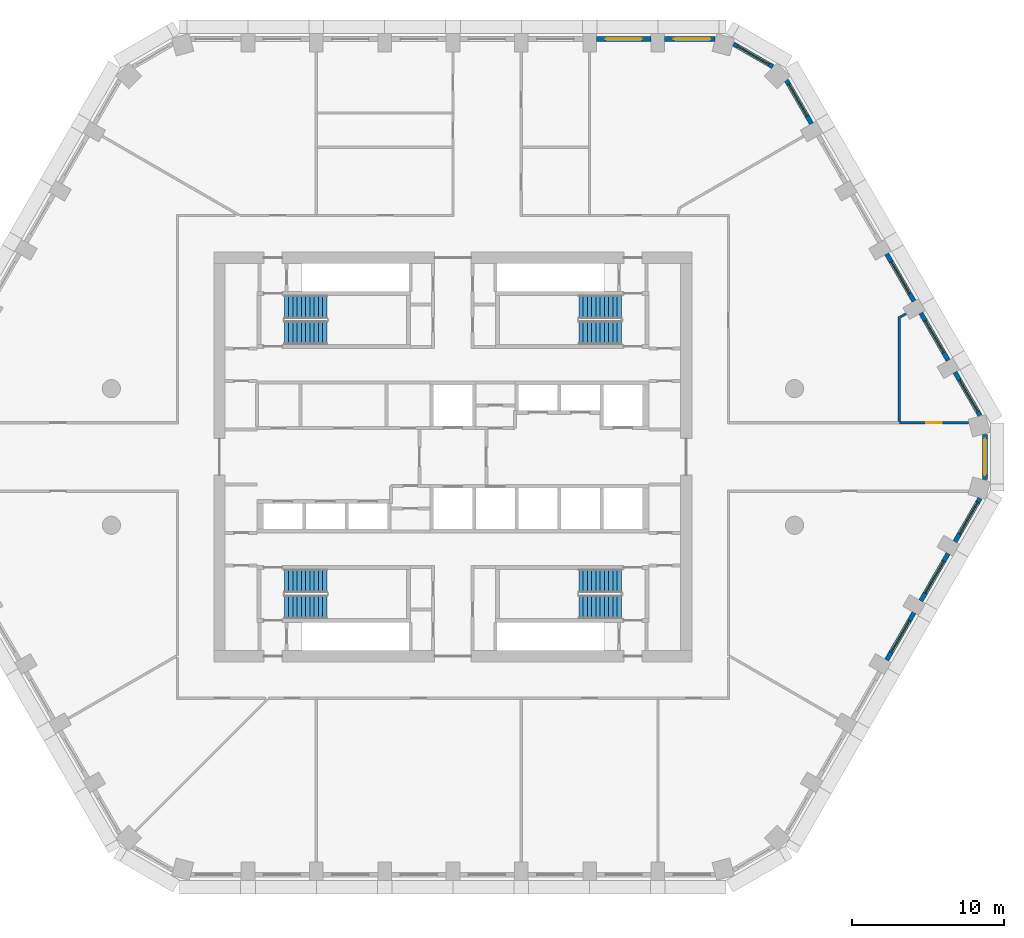
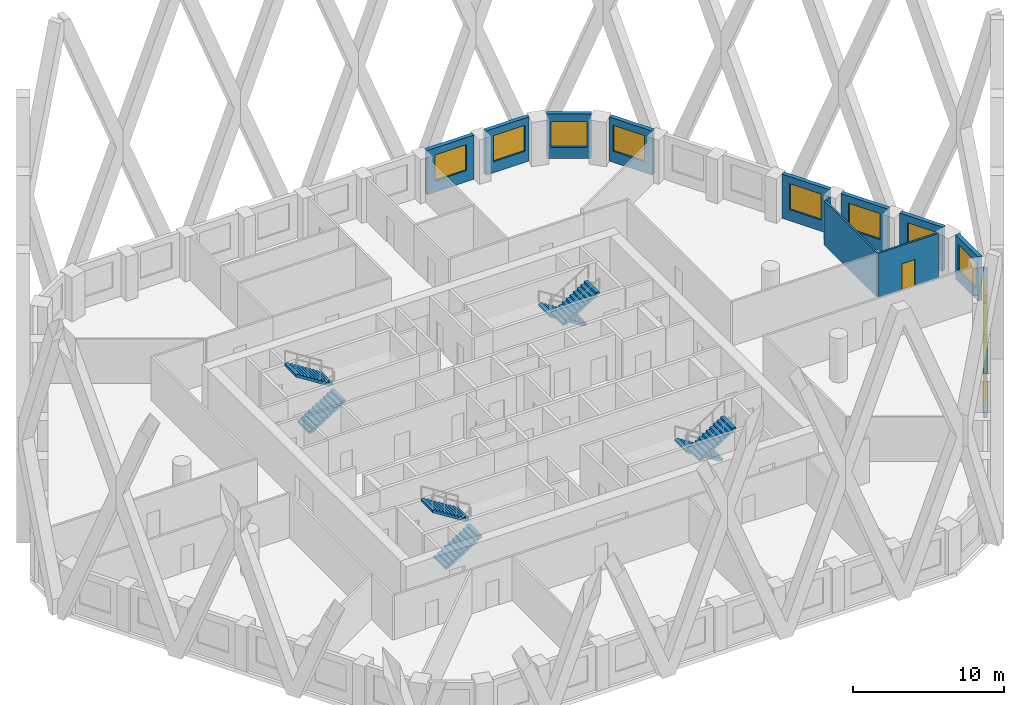
# One storey, part 8 of 17: 14 walls, 11 windows, 8 stair flights, 1 door, 12 openings, 4 elements without a shape of their own.
"""IFC4 building model written with IfcOpenShell, lengths in metres."""

import ifcopenshell
import ifcopenshell.guid

model = None  # the IFC model being written
_history = None  # IfcOwnerHistory: only IFC2X3 demands one
_inside = {}  # id of a spatial element -> (the spatial element, [elements in it])
_under = {}  # id of a project, library or spatial element -> (it, [spatial elements below it])
_declared = {}  # id of a project -> (the project, [libraries it declares])
_typed = {}  # id of a type object -> (the type object, [elements of that type])
_made_of = {}  # id of a material, layer set ... -> (it, [elements and type objects made of it])


def new_model(schema):
    """Start an empty IFC model of exactly this schema.

    Asked for "IFC4X3", IfcOpenShell would pick the latest addendum, in which some entities
    have other attributes; the version numbers below select the first issue.
    IFC2X3 requires an IfcOwnerHistory on every rooted entity: one is made here for all.
    """
    global model, _history
    if schema == "IFC4X3":
        model = ifcopenshell.file(schema_version=(4, 3, 0, 0))
    else:
        model = ifcopenshell.file(schema=schema)
    _inside.clear()
    _under.clear()
    _declared.clear()
    _typed.clear()
    _made_of.clear()
    _history = None
    if model.schema == "IFC2X3":
        org = make("IfcOrganization", Name="unknown")
        user = make(
            "IfcPersonAndOrganization",
            ThePerson=make("IfcPerson", FamilyName="unknown"),
            TheOrganization=org,
        )
        app = make(
            "IfcApplication",
            ApplicationDeveloper=org,
            Version="unknown",
            ApplicationFullName="unknown",
            ApplicationIdentifier="unknown",
        )
        _history = make(
            "IfcOwnerHistory",
            OwningUser=user,
            OwningApplication=app,
            ChangeAction="ADDED",
            CreationDate=0,
        )
    return model


def make(cls, **values):
    """One entity of the class cls with the attributes given. An attribute that is None is left unset."""
    return model.create_entity(
        cls, **{name: value for name, value in values.items() if value is not None}
    )


def rooted(cls, **values):
    """An entity with a GlobalId (a new one), such as an element, a storey or a relation."""
    return make(cls, GlobalId=ifcopenshell.guid.new(), OwnerHistory=_history, **values)


def si_unit(unit_type, name, prefix=None):
    """IfcSIUnit, for example si_unit("LENGTHUNIT", "METRE", prefix="MILLI")."""
    return make("IfcSIUnit", UnitType=unit_type, Prefix=prefix, Name=name)


def assignment(units):
    """IfcUnitAssignment: the units of a project."""
    return None if units is None else make("IfcUnitAssignment", Units=units)


def point(xyz):
    """IfcCartesianPoint."""
    return None if xyz is None else make("IfcCartesianPoint", Coordinates=xyz)


def direction(xyz):
    """IfcDirection."""
    return None if xyz is None else make("IfcDirection", DirectionRatios=xyz)


def frame(location, z_axis=None, x_axis=None):
    """IfcAxis2Placement3D, a coordinate frame: its origin and axes. An axis left out is left unset."""
    return make(
        "IfcAxis2Placement3D",
        Location=point(location),
        Axis=direction(z_axis),
        RefDirection=direction(x_axis),
    )


def frame_2d(location, x_axis=None):
    """IfcAxis2Placement2D, a coordinate frame in the plane: its origin and x axis."""
    return make(
        "IfcAxis2Placement2D", Location=point(location), RefDirection=direction(x_axis)
    )


def origin():
    """The frame at (0, 0, 0) with its axes left unset."""
    return frame((0.0, 0.0, 0.0))


def place(relative_to, where):
    """IfcLocalPlacement: puts the frame where relative to a parent placement (None: the world)."""
    return make(
        "IfcLocalPlacement", PlacementRelTo=relative_to, RelativePlacement=where
    )


def context(
    kind, dimensions, precision=None, world=None, true_north=None, identifier=None
):
    """IfcGeometricRepresentationContext, for example the 3D "Model" context."""
    return make(
        "IfcGeometricRepresentationContext",
        ContextIdentifier=identifier,
        ContextType=kind,
        CoordinateSpaceDimension=dimensions,
        Precision=precision,
        WorldCoordinateSystem=world,
        TrueNorth=true_north,
    )


def subcontext(parent, identifier, kind, view, scale=None):
    """IfcGeometricRepresentationSubContext, for example "Body" below "Model"."""
    return make(
        "IfcGeometricRepresentationSubContext",
        ContextIdentifier=identifier,
        ContextType=kind,
        ParentContext=parent,
        TargetScale=scale,
        TargetView=view,
    )


def project(units=None, contexts=None):
    """IfcProject with its units and contexts."""
    return rooted(
        "IfcProject",
        Name="project",
        RepresentationContexts=contexts,
        UnitsInContext=assignment(units),
    )


def spatial(cls, under=None, at=None, **own):
    """A site, building, storey or space (cls), placed at a placement, below another one or the project."""
    s = rooted(cls, ObjectPlacement=at, **own)
    if under is not None:
        _under.setdefault(under.id(), (under, []))[1].append(s)
    return s


def polyline(points):
    """IfcPolyline through the points."""
    return make("IfcPolyline", Points=[point(p) for p in points])


def profile(cls, at=None, kind="AREA", **sizes):
    """A parametric profile (cls). Its sizes go by their IFC names, for example OverallWidth=200.0."""
    return make(cls, ProfileType=kind, Position=at, **sizes)


def rectangle(**sizes):
    """IfcRectangleProfileDef."""
    return profile("IfcRectangleProfileDef", **sizes)


def outline(outer, holes=None, kind="AREA"):
    """IfcArbitraryClosedProfileDef: a profile drawn as a closed curve; with holes, ...WithVoids."""
    if holes is None:
        return make("IfcArbitraryClosedProfileDef", ProfileType=kind, OuterCurve=outer)
    return make(
        "IfcArbitraryProfileDefWithVoids",
        ProfileType=kind,
        OuterCurve=outer,
        InnerCurves=holes,
    )


def extrude(swept, where, along, depth):
    """IfcExtrudedAreaSolid: the profile swept, set in the frame where, extruded along a direction by depth."""
    return make(
        "IfcExtrudedAreaSolid",
        SweptArea=swept,
        Position=where,
        ExtrudedDirection=direction(along),
        Depth=depth,
    )


def shape(context_of_items, identifier, shape_type, items):
    """IfcShapeRepresentation: the items that make up one representation, for example the "Body"."""
    return make(
        "IfcShapeRepresentation",
        ContextOfItems=context_of_items,
        RepresentationIdentifier=identifier,
        RepresentationType=shape_type,
        Items=items,
    )


def material(Name=None, Category=None):
    """IfcMaterial."""
    return make("IfcMaterial", Name=Name, Category=Category)


def layer(
    of_material, thickness, ventilated=None, Name=None, Category=None, Priority=None
):
    """IfcMaterialLayer: one layer of a wall or slab, of a material (None: an air gap)."""
    return make(
        "IfcMaterialLayer",
        Material=of_material,
        LayerThickness=thickness,
        IsVentilated=ventilated,
        Name=Name,
        Category=Category,
        Priority=Priority,
    )


def layer_set(layers, Name=None):
    """IfcMaterialLayerSet."""
    return make("IfcMaterialLayerSet", MaterialLayers=layers, LayerSetName=Name)


def made_of(thing, what):
    """Note that an element or type object is made of a material, layer set ...; save() writes the relation."""
    if what is not None:
        _made_of.setdefault(what.id(), (what, []))[1].append(thing)
    return thing


def type_object(cls, material=None, **own):
    """A type object (cls), such as IfcWallType, which elements share."""
    return made_of(rooted(cls, **own), material)


def element(
    cls,
    number,
    at=None,
    inside=None,
    cuts=None,
    type_object=None,
    material=None,
    context=None,
    identifier="Body",
    shape_type=None,
    held_by="IfcProductDefinitionShape",
    body=None,
    shapes=None,
    **own,
):
    """One element of the class cls, such as IfcWall. Its Tag is "e" and its number.

    at: its placement. inside: the storey or other place that contains it. cuts: it is an
    opening in that element (IfcRelVoidsElement). A single representation is given by context,
    identifier, shape_type and body (its items); several are given by shapes. held_by: the class
    of the entity that holds the representations. save() writes the other relations.
    """
    e = rooted(cls, Tag="e%d" % number, ObjectPlacement=at, **own)
    if body is not None:
        shapes = [shape(context, identifier, shape_type, body)]
    if shapes is not None:
        e.Representation = make(held_by, Representations=shapes)
    if inside is not None:
        _inside.setdefault(inside.id(), (inside, []))[1].append(e)
    if cuts is not None:
        rooted(
            "IfcRelVoidsElement", RelatingBuildingElement=cuts, RelatedOpeningElement=e
        )
    if type_object is not None:
        _typed.setdefault(type_object.id(), (type_object, []))[1].append(e)
    return made_of(e, material)


def fill(opening, filler):
    """IfcRelFillsElement: the door or window that sits in an opening."""
    return rooted(
        "IfcRelFillsElement",
        RelatingOpeningElement=opening,
        RelatedBuildingElement=filler,
    )


def aggregate(whole, parts):
    """IfcRelAggregates: a whole, such as a stair, and the parts it consists of."""
    return rooted("IfcRelAggregates", RelatingObject=whole, RelatedObjects=parts)


def save(model, path):
    """Write the relations noted so far, then the file.

    IfcRelAggregates (storeys below a building ...), IfcRelContainedInSpatialStructure (elements
    in a storey), IfcRelDefinesByType, IfcRelAssociatesMaterial and IfcRelDeclares: one each for
    every whole, place, type object, material and project.
    """
    for whole, parts in _under.values():
        aggregate(whole, parts)
    for where, things in _inside.values():
        rooted(
            "IfcRelContainedInSpatialStructure",
            RelatedElements=things,
            RelatingStructure=where,
        )
    for kind, things in _typed.values():
        rooted("IfcRelDefinesByType", RelatedObjects=things, RelatingType=kind)
    for what, things in _made_of.values():
        rooted("IfcRelAssociatesMaterial", RelatedObjects=things, RelatingMaterial=what)
    for by, libraries in _declared.values():
        rooted("IfcRelDeclares", RelatingContext=by, RelatedDefinitions=libraries)
    model.write(path)


model = new_model("IFC4")

# Units and contexts
model_context = context("Model", 3, precision=1e-05, world=origin(), true_north=direction((0.0, 1.0)))
body_context = subcontext(model_context, "Body", "Model", "MODEL_VIEW")
ifc_project = project(units=[si_unit("LENGTHUNIT", "METRE"), si_unit("AREAUNIT", "SQUARE_METRE"), si_unit("VOLUMEUNIT", "CUBIC_METRE"), si_unit("PLANEANGLEUNIT", "RADIAN"), si_unit("MASSUNIT", "GRAM", prefix="KILO")], contexts=[model_context])

# Site, building, storey
site_placement = place(None, origin())
site = spatial("IfcSite", under=ifc_project, at=site_placement, CompositionType="ELEMENT")
building_placement = place(site_placement, origin())
building = spatial("IfcBuilding", under=site, at=building_placement, Name="Dhurran Vertical Campus", CompositionType="ELEMENT")
storey_placement = place(building_placement, frame((0.0, 0.0, 156.0)))
storey = spatial("IfcBuildingStorey", under=building, at=storey_placement, Name="L38", CompositionType="ELEMENT", Elevation=156.0)

# Wall, opening, window
ifc_material_1 = material(Name="Precast concrete C50/60", Category="concrete")
ifc_layer_1 = layer(ifc_material_1, 0.300048828125)
ifc_layer_set_1 = layer_set([ifc_layer_1], Name="Precast concrete C50/60")
wall_type_1 = type_object("IfcWallType", Name="Precast spandrel wall 300", PredefinedType="SOLIDWALL", material=ifc_layer_set_1)
wall_1_placement = place(storey_placement, frame((28.5693359375, -13.376220703125, 0.0), z_axis=(0.0, 0.0, 1.0), x_axis=(0.500027802648, 0.866009351323, 0.0)))
wall_1 = element("IfcWall", 1, at=wall_1_placement, inside=storey, type_object=wall_type_1, Name="EW1 L38.12", PredefinedType="SOLIDWALL", context=body_context, shape_type="SweptSolid", body=[
    extrude(rectangle(XDim=3.598876953125, YDim=0.300048828125, at=frame_2d((1.79931640625, 0.0))), origin(), (0.0, 0.0, 1.0), 3.574951171875),
])
opening_1_placement = place(wall_1_placement, frame((0.599609375, 0.0, 0.89990234375)))
opening_1 = element("IfcOpeningElement", 2, at=opening_1_placement, cuts=wall_1, Name="Opening WT1", PredefinedType="OPENING", context=body_context, shape_type="SweptSolid", body=[
    extrude(rectangle(XDim=2.39990234375, YDim=2.10009765625, at=frame_2d((1.199951171875, 1.050048828125))), frame((0.0, 0.159912109375, 0.0), z_axis=(0.0, -1.0, 0.0), x_axis=(1.0, 0.0, 0.0)), (0.0, 0.0, 1.0), 0.320068359375),
])
ifc_material_2 = material(Name="Aluminium frame with solar-control glass", Category="aluminium")
window_type = type_object("IfcWindowType", Name="Punched window 2400 x 2100", PartitioningType="SINGLE_PANEL", PredefinedType="WINDOW", material=ifc_material_2)
window_1_placement = place(opening_1_placement, origin())
window_1 = element("IfcWindow", 3, at=window_1_placement, inside=storey, type_object=window_type, Name="WT1 L38.12", OverallHeight=2.10009765625, OverallWidth=2.39990234375, PartitioningType="SINGLE_PANEL", PredefinedType="WINDOW", context=body_context, shape_type="SweptSolid", body=[
    extrude(rectangle(XDim=2.39990234375, YDim=2.10009765625, at=frame_2d((1.199951171875, 1.050048828125))), frame((0.0, 0.030029296875, 0.0), z_axis=(0.0, -1.0, 0.0), x_axis=(1.0, 0.0, 0.0)), (0.0, 0.0, 1.0), 0.06005859375),
])
fill(opening_1, window_1)

wall_2_placement = place(storey_placement, frame((30.8193359375, -9.47900390625, 0.0), z_axis=(0.0, 0.0, 1.0), x_axis=(0.500027802648, 0.866009351323, 0.0)))
wall_2 = element("IfcWall", 4, at=wall_2_placement, inside=storey, type_object=wall_type_1, Name="EW1 L38.13", PredefinedType="SOLIDWALL", context=body_context, shape_type="SweptSolid", body=[
    extrude(rectangle(XDim=3.598876953125, YDim=0.300048828125, at=frame_2d((1.79931640625, 0.0))), origin(), (0.0, 0.0, 1.0), 3.574951171875),
])
opening_2_placement = place(wall_2_placement, frame((0.599609375, 0.0, 0.89990234375)))
opening_2 = element("IfcOpeningElement", 5, at=opening_2_placement, cuts=wall_2, Name="Opening WT1", PredefinedType="OPENING", context=body_context, shape_type="SweptSolid", body=[
    extrude(rectangle(XDim=2.39990234375, YDim=2.10009765625, at=frame_2d((1.199951171875, 1.050048828125))), frame((0.0, 0.159912109375, 0.0), z_axis=(0.0, -1.0, 0.0), x_axis=(1.0, 0.0, 0.0)), (0.0, 0.0, 1.0), 0.320068359375),
])
window_2_placement = place(opening_2_placement, origin())
window_2 = element("IfcWindow", 6, at=window_2_placement, inside=storey, type_object=window_type, Name="WT1 L38.13", OverallHeight=2.10009765625, OverallWidth=2.39990234375, PartitioningType="SINGLE_PANEL", PredefinedType="WINDOW", context=body_context, shape_type="SweptSolid", body=[
    extrude(rectangle(XDim=2.39990234375, YDim=2.10009765625, at=frame_2d((1.199951171875, 1.050048828125))), frame((0.0, 0.030029296875, 0.0), z_axis=(0.0, -1.0, 0.0), x_axis=(1.0, 0.0, 0.0)), (0.0, 0.0, 1.0), 0.06005859375),
])
fill(opening_2, window_2)

wall_3_placement = place(storey_placement, frame((33.0693359375, -5.58203125, 0.0), z_axis=(0.0, 0.0, 1.0), x_axis=(0.499981217486, 0.866036247602, 0.0)))
wall_3 = element("IfcWall", 7, at=wall_3_placement, inside=storey, type_object=wall_type_1, Name="EW1 L38.14", PredefinedType="SOLIDWALL", context=body_context, shape_type="SweptSolid", body=[
    extrude(rectangle(XDim=3.294189453125, YDim=0.300048828125, at=frame_2d((1.64697265625, 0.0))), origin(), (0.0, 0.0, 1.0), 3.574951171875),
])
opening_3_placement = place(wall_3_placement, frame((0.599609375, 0.0, 0.89990234375)))
opening_3 = element("IfcOpeningElement", 8, at=opening_3_placement, cuts=wall_3, Name="Opening WT1", PredefinedType="OPENING", context=body_context, shape_type="SweptSolid", body=[
    extrude(rectangle(XDim=2.39990234375, YDim=2.10009765625, at=frame_2d((1.199951171875, 1.050048828125))), frame((0.0, 0.159912109375, 0.0), z_axis=(0.0, -1.0, 0.0), x_axis=(1.0, 0.0, 0.0)), (0.0, 0.0, 1.0), 0.320068359375),
])
window_3_placement = place(opening_3_placement, origin())
window_3 = element("IfcWindow", 9, at=window_3_placement, inside=storey, type_object=window_type, Name="WT1 L38.14", OverallHeight=2.10009765625, OverallWidth=2.39990234375, PartitioningType="SINGLE_PANEL", PredefinedType="WINDOW", context=body_context, shape_type="SweptSolid", body=[
    extrude(rectangle(XDim=2.39990234375, YDim=2.10009765625, at=frame_2d((1.199951171875, 1.050048828125))), frame((0.0, 0.030029296875, 0.0), z_axis=(0.0, -1.0, 0.0), x_axis=(1.0, 0.0, 0.0)), (0.0, 0.0, 1.0), 0.06005859375),
])
fill(opening_3, window_3)

wall_4_placement = place(storey_placement, frame((35.047119140625, -1.49462890625, 0.0), z_axis=(0.0, 0.0, 1.0), x_axis=(0.0, 1.0, 0.0)))
wall_4 = element("IfcWall", 10, at=wall_4_placement, inside=storey, type_object=wall_type_1, Name="EW1 L38.15", PredefinedType="SOLIDWALL", context=body_context, shape_type="SweptSolid", body=[
    extrude(rectangle(XDim=2.9892578125, YDim=0.300048828125, at=frame_2d((1.49462890625, 0.0))), origin(), (0.0, 0.0, 1.0), 3.574951171875),
])
opening_4_placement = place(wall_4_placement, frame((0.294677734375, 0.0, 0.89990234375)))
opening_4 = element("IfcOpeningElement", 11, at=opening_4_placement, cuts=wall_4, Name="Opening WT1", PredefinedType="OPENING", context=body_context, shape_type="SweptSolid", body=[
    extrude(rectangle(XDim=2.39990234375, YDim=2.10009765625, at=frame_2d((1.199951171875, 1.050048828125))), frame((0.0, 0.159912109375, 0.0), z_axis=(0.0, -1.0, 0.0), x_axis=(1.0, 0.0, 0.0)), (0.0, 0.0, 1.0), 0.320068359375),
])
window_4_placement = place(opening_4_placement, origin())
window_4 = element("IfcWindow", 12, at=window_4_placement, inside=storey, type_object=window_type, Name="WT1 L38.15", OverallHeight=2.10009765625, OverallWidth=2.39990234375, PartitioningType="SINGLE_PANEL", PredefinedType="WINDOW", context=body_context, shape_type="SweptSolid", body=[
    extrude(rectangle(XDim=2.39990234375, YDim=2.10009765625, at=frame_2d((1.199951171875, 1.050048828125))), frame((0.0, 0.030029296875, 0.0), z_axis=(0.0, -1.0, 0.0), x_axis=(1.0, 0.0, 0.0)), (0.0, 0.0, 1.0), 0.06005859375),
])
fill(opening_4, window_4)

wall_5_placement = place(storey_placement, frame((34.71630859375, 2.729248046875, 0.0), z_axis=(0.0, 0.0, 1.0), x_axis=(-0.499981217486, 0.866036247602, 0.0)))
wall_5 = element("IfcWall", 13, at=wall_5_placement, inside=storey, type_object=wall_type_1, Name="EW1 L38.16", PredefinedType="SOLIDWALL", context=body_context, shape_type="SweptSolid", body=[
    extrude(rectangle(XDim=3.294189453125, YDim=0.300048828125, at=frame_2d((1.64697265625, 0.0))), origin(), (0.0, 0.0, 1.0), 3.574951171875),
])
opening_5_placement = place(wall_5_placement, frame((0.294677734375, 0.0, 0.89990234375)))
opening_5 = element("IfcOpeningElement", 14, at=opening_5_placement, cuts=wall_5, Name="Opening WT1", PredefinedType="OPENING", context=body_context, shape_type="SweptSolid", body=[
    extrude(rectangle(XDim=2.39990234375, YDim=2.10009765625, at=frame_2d((1.199951171875, 1.050048828125))), frame((0.0, 0.159912109375, 0.0), z_axis=(0.0, -1.0, 0.0), x_axis=(1.0, 0.0, 0.0)), (0.0, 0.0, 1.0), 0.320068359375),
])
window_5_placement = place(opening_5_placement, origin())
window_5 = element("IfcWindow", 15, at=window_5_placement, inside=storey, type_object=window_type, Name="WT1 L38.16", OverallHeight=2.10009765625, OverallWidth=2.39990234375, PartitioningType="SINGLE_PANEL", PredefinedType="WINDOW", context=body_context, shape_type="SweptSolid", body=[
    extrude(rectangle(XDim=2.39990234375, YDim=2.10009765625, at=frame_2d((1.199951171875, 1.050048828125))), frame((0.0, 0.030029296875, 0.0), z_axis=(0.0, -1.0, 0.0), x_axis=(1.0, 0.0, 0.0)), (0.0, 0.0, 1.0), 0.06005859375),
])
fill(opening_5, window_5)

wall_6_placement = place(storey_placement, frame((32.618896484375, 6.3623046875, 0.0), z_axis=(0.0, 0.0, 1.0), x_axis=(-0.500027802648, 0.866009351323, 0.0)))
wall_6 = element("IfcWall", 16, at=wall_6_placement, inside=storey, type_object=wall_type_1, Name="EW1 L38.17", PredefinedType="SOLIDWALL", context=body_context, shape_type="SweptSolid", body=[
    extrude(rectangle(XDim=3.598876953125, YDim=0.300048828125, at=frame_2d((1.79931640625, 0.0))), origin(), (0.0, 0.0, 1.0), 3.574951171875),
])
opening_6_placement = place(wall_6_placement, frame((0.599609375, 0.0, 0.89990234375)))
opening_6 = element("IfcOpeningElement", 17, at=opening_6_placement, cuts=wall_6, Name="Opening WT1", PredefinedType="OPENING", context=body_context, shape_type="SweptSolid", body=[
    extrude(rectangle(XDim=2.39990234375, YDim=2.10009765625, at=frame_2d((1.199951171875, 1.050048828125))), frame((0.0, 0.159912109375, 0.0), z_axis=(0.0, -1.0, 0.0), x_axis=(1.0, 0.0, 0.0)), (0.0, 0.0, 1.0), 0.320068359375),
])
window_6_placement = place(opening_6_placement, origin())
window_6 = element("IfcWindow", 18, at=window_6_placement, inside=storey, type_object=window_type, Name="WT1 L38.17", OverallHeight=2.10009765625, OverallWidth=2.39990234375, PartitioningType="SINGLE_PANEL", PredefinedType="WINDOW", context=body_context, shape_type="SweptSolid", body=[
    extrude(rectangle(XDim=2.39990234375, YDim=2.10009765625, at=frame_2d((1.199951171875, 1.050048828125))), frame((0.0, 0.030029296875, 0.0), z_axis=(0.0, -1.0, 0.0), x_axis=(1.0, 0.0, 0.0)), (0.0, 0.0, 1.0), 0.06005859375),
])
fill(opening_6, window_6)

wall_7_placement = place(storey_placement, frame((30.368896484375, 10.259521484375, 0.0), z_axis=(0.0, 0.0, 1.0), x_axis=(-0.500027802648, 0.866009351323, 0.0)))
wall_7 = element("IfcWall", 19, at=wall_7_placement, inside=storey, type_object=wall_type_1, Name="EW1 L38.18", PredefinedType="SOLIDWALL", context=body_context, shape_type="SweptSolid", body=[
    extrude(rectangle(XDim=3.598876953125, YDim=0.300048828125, at=frame_2d((1.79931640625, 0.0))), origin(), (0.0, 0.0, 1.0), 3.574951171875),
])
opening_7_placement = place(wall_7_placement, frame((0.599609375, 0.0, 0.89990234375)))
opening_7 = element("IfcOpeningElement", 20, at=opening_7_placement, cuts=wall_7, Name="Opening WT1", PredefinedType="OPENING", context=body_context, shape_type="SweptSolid", body=[
    extrude(rectangle(XDim=2.39990234375, YDim=2.10009765625, at=frame_2d((1.199951171875, 1.050048828125))), frame((0.0, 0.159912109375, 0.0), z_axis=(0.0, -1.0, 0.0), x_axis=(1.0, 0.0, 0.0)), (0.0, 0.0, 1.0), 0.320068359375),
])
window_7_placement = place(opening_7_placement, origin())
window_7 = element("IfcWindow", 21, at=window_7_placement, inside=storey, type_object=window_type, Name="WT1 L38.18", OverallHeight=2.10009765625, OverallWidth=2.39990234375, PartitioningType="SINGLE_PANEL", PredefinedType="WINDOW", context=body_context, shape_type="SweptSolid", body=[
    extrude(rectangle(XDim=2.39990234375, YDim=2.10009765625, at=frame_2d((1.199951171875, 1.050048828125))), frame((0.0, 0.030029296875, 0.0), z_axis=(0.0, -1.0, 0.0), x_axis=(1.0, 0.0, 0.0)), (0.0, 0.0, 1.0), 0.06005859375),
])
fill(opening_7, window_7)

wall_8_placement = place(storey_placement, frame((23.618896484375, 21.95068359375, 0.0), z_axis=(0.0, 0.0, 1.0), x_axis=(-0.500036802197, 0.866004154983, 0.0)))
wall_8 = element("IfcWall", 22, at=wall_8_placement, inside=storey, type_object=wall_type_1, Name="EW1 L38.21", PredefinedType="SOLIDWALL", context=body_context, shape_type="SweptSolid", body=[
    extrude(rectangle(XDim=3.294189453125, YDim=0.300048828125, at=frame_2d((1.64697265625, 0.0))), origin(), (0.0, 0.0, 1.0), 3.574951171875),
])
opening_8_placement = place(wall_8_placement, frame((0.599609375, 0.0, 0.89990234375)))
opening_8 = element("IfcOpeningElement", 23, at=opening_8_placement, cuts=wall_8, Name="Opening WT1", PredefinedType="OPENING", context=body_context, shape_type="SweptSolid", body=[
    extrude(rectangle(XDim=2.39990234375, YDim=2.10009765625, at=frame_2d((1.199951171875, 1.050048828125))), frame((0.0, 0.159912109375, 0.0), z_axis=(0.0, -1.0, 0.0), x_axis=(1.0, 0.0, 0.0)), (0.0, 0.0, 1.0), 0.320068359375),
])
window_8_placement = place(opening_8_placement, origin())
window_8 = element("IfcWindow", 24, at=window_8_placement, inside=storey, type_object=window_type, Name="WT1 L38.21", OverallHeight=2.10009765625, OverallWidth=2.39990234375, PartitioningType="SINGLE_PANEL", PredefinedType="WINDOW", context=body_context, shape_type="SweptSolid", body=[
    extrude(rectangle(XDim=2.39990234375, YDim=2.10009765625, at=frame_2d((1.199951171875, 1.050048828125))), frame((0.0, 0.030029296875, 0.0), z_axis=(0.0, -1.0, 0.0), x_axis=(1.0, 0.0, 0.0)), (0.0, 0.0, 1.0), 0.06005859375),
])
fill(opening_8, window_8)

wall_9_placement = place(storey_placement, frame((21.06787109375, 25.707275390625, 0.0), z_axis=(0.0, 0.0, 1.0), x_axis=(-0.866012844897, 0.500021752, 0.0)))
wall_9 = element("IfcWall", 25, at=wall_9_placement, inside=storey, type_object=wall_type_1, Name="EW1 L38.22", PredefinedType="SOLIDWALL", context=body_context, shape_type="SweptSolid", body=[
    extrude(rectangle(XDim=2.989013671875, YDim=0.300048828125, at=frame_2d((1.49462890625, 0.0))), origin(), (0.0, 0.0, 1.0), 3.574951171875),
])
opening_9_placement = place(wall_9_placement, frame((0.294677734375, 0.0, 0.89990234375)))
opening_9 = element("IfcOpeningElement", 26, at=opening_9_placement, cuts=wall_9, Name="Opening WT1", PredefinedType="OPENING", context=body_context, shape_type="SweptSolid", body=[
    extrude(rectangle(XDim=2.39990234375, YDim=2.10009765625, at=frame_2d((1.199951171875, 1.050048828125))), frame((0.0, 0.159912109375, 0.0), z_axis=(0.0, -1.0, 0.0), x_axis=(1.0, 0.0, 0.0)), (0.0, 0.0, 1.0), 0.320068359375),
])
window_9_placement = place(opening_9_placement, origin())
window_9 = element("IfcWindow", 27, at=window_9_placement, inside=storey, type_object=window_type, Name="WT1 L38.22", OverallHeight=2.10009765625, OverallWidth=2.39990234375, PartitioningType="SINGLE_PANEL", PredefinedType="WINDOW", context=body_context, shape_type="SweptSolid", body=[
    extrude(rectangle(XDim=2.39990234375, YDim=2.10009765625, at=frame_2d((1.199951171875, 1.050048828125))), frame((0.0, 0.030029296875, 0.0), z_axis=(0.0, -1.0, 0.0), x_axis=(1.0, 0.0, 0.0)), (0.0, 0.0, 1.0), 0.06005859375),
])
fill(opening_9, window_9)

wall_10_placement = place(storey_placement, frame((17.24462890625, 27.53271484375, 0.0), z_axis=(0.0, 0.0, 1.0), x_axis=(-1.0, 0.0, 0.0)))
wall_10 = element("IfcWall", 28, at=wall_10_placement, inside=storey, type_object=wall_type_1, Name="EW1 L38.23", PredefinedType="SOLIDWALL", context=body_context, shape_type="SweptSolid", body=[
    extrude(rectangle(XDim=3.294189453125, YDim=0.300048828125, at=frame_2d((1.64697265625, 0.0))), origin(), (0.0, 0.0, 1.0), 3.574951171875),
])
opening_10_placement = place(wall_10_placement, frame((0.294677734375, 0.0, 0.89990234375)))
opening_10 = element("IfcOpeningElement", 29, at=opening_10_placement, cuts=wall_10, Name="Opening WT1", PredefinedType="OPENING", context=body_context, shape_type="SweptSolid", body=[
    extrude(rectangle(XDim=2.39990234375, YDim=2.10009765625, at=frame_2d((1.199951171875, 1.050048828125))), frame((0.0, 0.159912109375, 0.0), z_axis=(0.0, -1.0, 0.0), x_axis=(1.0, 0.0, 0.0)), (0.0, 0.0, 1.0), 0.320068359375),
])
window_10_placement = place(opening_10_placement, origin())
window_10 = element("IfcWindow", 30, at=window_10_placement, inside=storey, type_object=window_type, Name="WT1 L38.23", OverallHeight=2.10009765625, OverallWidth=2.39990234375, PartitioningType="SINGLE_PANEL", PredefinedType="WINDOW", context=body_context, shape_type="SweptSolid", body=[
    extrude(rectangle(XDim=2.39990234375, YDim=2.10009765625, at=frame_2d((1.199951171875, 1.050048828125))), frame((0.0, 0.030029296875, 0.0), z_axis=(0.0, -1.0, 0.0), x_axis=(1.0, 0.0, 0.0)), (0.0, 0.0, 1.0), 0.06005859375),
])
fill(opening_10, window_10)

wall_11_placement = place(storey_placement, frame((13.049560546875, 27.53271484375, 0.0), z_axis=(0.0, 0.0, 1.0), x_axis=(-1.0, 0.0, 0.0)))
wall_11 = element("IfcWall", 31, at=wall_11_placement, inside=storey, type_object=wall_type_1, Name="EW1 L38.24", PredefinedType="SOLIDWALL", context=body_context, shape_type="SweptSolid", body=[
    extrude(rectangle(XDim=3.59912109375, YDim=0.300048828125, at=frame_2d((1.799560546875, 0.0))), origin(), (0.0, 0.0, 1.0), 3.574951171875),
])
opening_11_placement = place(wall_11_placement, frame((0.599609375, 0.0, 0.89990234375)))
opening_11 = element("IfcOpeningElement", 32, at=opening_11_placement, cuts=wall_11, Name="Opening WT1", PredefinedType="OPENING", context=body_context, shape_type="SweptSolid", body=[
    extrude(rectangle(XDim=2.39990234375, YDim=2.10009765625, at=frame_2d((1.199951171875, 1.050048828125))), frame((0.0, 0.159912109375, 0.0), z_axis=(0.0, -1.0, 0.0), x_axis=(1.0, 0.0, 0.0)), (0.0, 0.0, 1.0), 0.320068359375),
])
window_11_placement = place(opening_11_placement, origin())
window_11 = element("IfcWindow", 33, at=window_11_placement, inside=storey, type_object=window_type, Name="WT1 L38.24", OverallHeight=2.10009765625, OverallWidth=2.39990234375, PartitioningType="SINGLE_PANEL", PredefinedType="WINDOW", context=body_context, shape_type="SweptSolid", body=[
    extrude(rectangle(XDim=2.39990234375, YDim=2.10009765625, at=frame_2d((1.199951171875, 1.050048828125))), frame((0.0, 0.030029296875, 0.0), z_axis=(0.0, -1.0, 0.0), x_axis=(1.0, 0.0, 0.0)), (0.0, 0.0, 1.0), 0.06005859375),
])
fill(opening_11, window_11)

# Wall, opening, door
ifc_material_3 = material(Name="Gypsum board corridor wall on steel studs", Category="steel")
ifc_layer_2 = layer(ifc_material_3, 0.14990234375)
ifc_layer_set_2 = layer_set([ifc_layer_2], Name="Gypsum board corridor wall on steel studs")
wall_type_2 = type_object("IfcWallType", Name="fl-CW-150 corridor wall", PredefinedType="PARTITIONING", material=ifc_layer_set_2)
wall_12_placement = place(storey_placement, frame((29.39990234375, 2.25, 0.0), z_axis=(0.0, 0.0, 1.0), x_axis=(1.0, 0.0, 0.0)))
wall_12 = element("IfcWall", 34, at=wall_12_placement, inside=storey, type_object=wall_type_2, Name="Partition 38-45", PredefinedType="PARTITIONING", context=body_context, shape_type="SweptSolid", body=[
    extrude(rectangle(XDim=4.56787109375, YDim=0.14990234375, at=frame_2d((2.283935546875, 0.0))), origin(), (0.0, 0.0, 1.0), 3.574951171875),
])
opening_12_placement = place(wall_12_placement, frame((1.783935546875, 0.0, 0.0)))
opening_12 = element("IfcOpeningElement", 35, at=opening_12_placement, cuts=wall_12, Name="Opening T11.17", PredefinedType="OPENING", context=body_context, shape_type="SweptSolid", body=[
    extrude(rectangle(XDim=1.0, YDim=2.10009765625, at=frame_2d((0.5, 1.050048828125))), frame((0.0, 0.0849609375, 0.0), z_axis=(0.0, -1.0, 0.0), x_axis=(1.0, 0.0, 0.0)), (0.0, 0.0, 1.0), 0.169921875),
])
ifc_material_4 = material(Name="Solid-core timber door set, fire-rated", Category="wood")
door_type = type_object("IfcDoorType", Name="fl-D-1000x2100", OperationType="SINGLE_SWING_LEFT", PredefinedType="DOOR", material=ifc_material_4)
door_placement = place(opening_12_placement, origin())
door = element("IfcDoor", 36, at=door_placement, inside=storey, type_object=door_type, Name="Door 38.17", OperationType="SINGLE_SWING_LEFT", OverallHeight=2.10009765625, OverallWidth=1.0, PredefinedType="DOOR", context=body_context, shape_type="SweptSolid", body=[
    extrude(rectangle(XDim=1.0, YDim=2.10009765625, at=frame_2d((0.5, 1.050048828125))), frame((0.0, 0.02490234375, 0.0), z_axis=(0.0, -1.0, 0.0), x_axis=(1.0, 0.0, 0.0)), (0.0, 0.0, 1.0), 0.050048828125),
])
fill(opening_12, door)

# Walls
ifc_material_5 = material(Name="Folding acoustic partition panels")
ifc_layer_3 = layer(ifc_material_5, 0.14990234375)
ifc_layer_set_3 = layer_set([ifc_layer_3], Name="Folding acoustic partition panels")
wall_type_3 = type_object("IfcWallType", Name="fl-MW-150 movable partition", PredefinedType="MOVABLE", material=ifc_layer_set_3)
wall_13_placement = place(storey_placement, frame((29.39990234375, 9.2548828125, 0.0), z_axis=(0.0, 0.0, 1.0), x_axis=(0.0, -1.0, 0.0)))
element("IfcWall", 37, at=wall_13_placement, inside=storey, type_object=wall_type_3, Name="Partition 38-44", PredefinedType="MOVABLE", context=body_context, shape_type="SweptSolid", body=[
    extrude(rectangle(XDim=6.929931640625, YDim=0.14990234375, at=frame_2d((3.46484375, 0.0))), origin(), (0.0, 0.0, 1.0), 3.574951171875),
])
wall_14_placement = place(storey_placement, frame((29.840576171875, 9.434326171875, 0.0), z_axis=(0.0, 0.0, 1.0), x_axis=(-0.865916841101, -0.500187988959, 0.0)))
element("IfcWall", 38, at=wall_14_placement, inside=storey, type_object=wall_type_3, Name="Partition 38-46", PredefinedType="MOVABLE", context=body_context, shape_type="SweptSolid", body=[
    extrude(rectangle(XDim=0.408447265625, YDim=0.14990234375, at=frame_2d((0.2041015625, 0.0))), origin(), (0.0, 0.0, 1.0), 3.574951171875),
])

# Stair, stair flights
ifc_material_6 = material(Name="Concrete C40/50", Category="concrete")
stair_type = type_object("IfcStairType", Name="co-ST-CORE", PredefinedType="HALF_TURN_STAIR", material=ifc_material_6)
stair_1_placement = place(storey_placement, origin())
stair_1 = element("IfcStair", 39, at=stair_1_placement, inside=storey, type_object=stair_type, Name="L38 Protected exit stair ST1", PredefinedType="HALF_TURN_STAIR")
ifc_material_7 = material(Name="Concrete C40/50", Category="concrete")
stair_flight_type = type_object("IfcStairFlightType", Name="co-SFL-RC", PredefinedType="STRAIGHT", material=ifc_material_7)
stair_flight_1_placement = place(storey_placement, frame((-11.10009765625, 8.175048828125, 0.0), z_axis=(0.0, 0.0, 1.0), x_axis=(1.0, 0.0, 0.0)))
stair_flight_1 = element("IfcStairFlight", 40, at=stair_flight_1_placement, type_object=stair_flight_type, Name="ST1 flight 1", NumberOfRisers=11, NumberOfTreads=10, PredefinedType="STRAIGHT", RiserHeight=0.177272727, TreadLength=0.28, context=body_context, shape_type="SweptSolid", body=[
    extrude(outline(polyline([(0.0, 0.0), (0.0, 0.17724609375), (0.280029296875, 0.17724609375), (0.280029296875, 0.3544921875), (0.56005859375, 0.3544921875), (0.56005859375, 0.53173828125), (0.840087890625, 0.53173828125), (0.840087890625, 0.708984375), (1.1201171875, 0.708984375), (1.1201171875, 0.886474609375), (1.39990234375, 0.886474609375), (1.39990234375, 1.063720703125), (1.679931640625, 1.063720703125), (1.679931640625, 1.240966796875), (1.9599609375, 1.240966796875), (1.9599609375, 1.418212890625), (2.239990234375, 1.418212890625), (2.239990234375, 1.595458984375), (2.52001953125, 1.595458984375), (2.52001953125, 1.772705078125), (2.800048828125, 1.772705078125), (2.800048828125, 1.949951171875), (2.800048828125, 1.59521484375), (0.2802734375, 0.0), (0.0, 0.0)])), frame((0.0, 0.77490234375, 0.0), z_axis=(0.0, -1.0, 0.0), x_axis=(1.0, 0.0, 0.0)), (0.0, 0.0, 1.0), 1.550048828125),
])
stair_flight_2_placement = place(storey_placement, frame((-8.300048828125, 9.875, 1.949951171875), z_axis=(0.0, 0.0, 1.0), x_axis=(-1.0, 0.0, 0.0)))
stair_flight_2 = element("IfcStairFlight", 41, at=stair_flight_2_placement, type_object=stair_flight_type, Name="ST1 flight 2", NumberOfRisers=11, NumberOfTreads=10, PredefinedType="STRAIGHT", RiserHeight=0.177272727, TreadLength=0.28, context=body_context, shape_type="SweptSolid", body=[
    extrude(outline(polyline([(0.0, 0.0), (0.0, 0.17724609375), (0.280029296875, 0.17724609375), (0.280029296875, 0.3544921875), (0.56005859375, 0.3544921875), (0.56005859375, 0.53173828125), (0.840087890625, 0.53173828125), (0.840087890625, 0.708984375), (1.1201171875, 0.708984375), (1.1201171875, 0.886474609375), (1.39990234375, 0.886474609375), (1.39990234375, 1.063720703125), (1.679931640625, 1.063720703125), (1.679931640625, 1.240966796875), (1.9599609375, 1.240966796875), (1.9599609375, 1.418212890625), (2.239990234375, 1.418212890625), (2.239990234375, 1.595458984375), (2.52001953125, 1.595458984375), (2.52001953125, 1.772705078125), (2.800048828125, 1.772705078125), (2.800048828125, 1.949951171875), (2.800048828125, 1.59521484375), (0.2802734375, 0.0), (0.0, 0.0)])), frame((0.0, 0.77490234375, 0.0), z_axis=(0.0, -1.0, 0.0), x_axis=(1.0, 0.0, 0.0)), (0.0, 0.0, 1.0), 1.550048828125),
])
aggregate(stair_1, [stair_flight_1, stair_flight_2])

stair_2_placement = place(storey_placement, origin())
stair_2 = element("IfcStair", 42, at=stair_2_placement, inside=storey, type_object=stair_type, Name="L38 Protected exit stair ST2", PredefinedType="HALF_TURN_STAIR")
stair_flight_3_placement = place(storey_placement, frame((11.10009765625, 9.875, 0.0), z_axis=(0.0, 0.0, 1.0), x_axis=(-1.0, 0.0, 0.0)))
stair_flight_3 = element("IfcStairFlight", 43, at=stair_flight_3_placement, type_object=stair_flight_type, Name="ST2 flight 1", NumberOfRisers=11, NumberOfTreads=10, PredefinedType="STRAIGHT", RiserHeight=0.177272727, TreadLength=0.28, context=body_context, shape_type="SweptSolid", body=[
    extrude(outline(polyline([(0.0, 0.0), (0.0, 0.17724609375), (0.280029296875, 0.17724609375), (0.280029296875, 0.3544921875), (0.56005859375, 0.3544921875), (0.56005859375, 0.53173828125), (0.840087890625, 0.53173828125), (0.840087890625, 0.708984375), (1.1201171875, 0.708984375), (1.1201171875, 0.886474609375), (1.39990234375, 0.886474609375), (1.39990234375, 1.063720703125), (1.679931640625, 1.063720703125), (1.679931640625, 1.240966796875), (1.9599609375, 1.240966796875), (1.9599609375, 1.418212890625), (2.239990234375, 1.418212890625), (2.239990234375, 1.595458984375), (2.52001953125, 1.595458984375), (2.52001953125, 1.772705078125), (2.800048828125, 1.772705078125), (2.800048828125, 1.949951171875), (2.800048828125, 1.59521484375), (0.2802734375, 0.0), (0.0, 0.0)])), frame((0.0, 0.77490234375, 0.0), z_axis=(0.0, -1.0, 0.0), x_axis=(1.0, 0.0, 0.0)), (0.0, 0.0, 1.0), 1.550048828125),
])
stair_flight_4_placement = place(storey_placement, frame((8.300048828125, 8.175048828125, 1.949951171875), z_axis=(0.0, 0.0, 1.0), x_axis=(1.0, 0.0, 0.0)))
stair_flight_4 = element("IfcStairFlight", 44, at=stair_flight_4_placement, type_object=stair_flight_type, Name="ST2 flight 2", NumberOfRisers=11, NumberOfTreads=10, PredefinedType="STRAIGHT", RiserHeight=0.177272727, TreadLength=0.28, context=body_context, shape_type="SweptSolid", body=[
    extrude(outline(polyline([(0.0, 0.0), (0.0, 0.17724609375), (0.280029296875, 0.17724609375), (0.280029296875, 0.3544921875), (0.56005859375, 0.3544921875), (0.56005859375, 0.53173828125), (0.840087890625, 0.53173828125), (0.840087890625, 0.708984375), (1.1201171875, 0.708984375), (1.1201171875, 0.886474609375), (1.39990234375, 0.886474609375), (1.39990234375, 1.063720703125), (1.679931640625, 1.063720703125), (1.679931640625, 1.240966796875), (1.9599609375, 1.240966796875), (1.9599609375, 1.418212890625), (2.239990234375, 1.418212890625), (2.239990234375, 1.595458984375), (2.52001953125, 1.595458984375), (2.52001953125, 1.772705078125), (2.800048828125, 1.772705078125), (2.800048828125, 1.949951171875), (2.800048828125, 1.59521484375), (0.2802734375, 0.0), (0.0, 0.0)])), frame((0.0, 0.77490234375, 0.0), z_axis=(0.0, -1.0, 0.0), x_axis=(1.0, 0.0, 0.0)), (0.0, 0.0, 1.0), 1.550048828125),
])
aggregate(stair_2, [stair_flight_3, stair_flight_4])

stair_3_placement = place(storey_placement, origin())
stair_3 = element("IfcStair", 45, at=stair_3_placement, inside=storey, type_object=stair_type, Name="L38 Protected exit stair ST3", PredefinedType="HALF_TURN_STAIR")
stair_flight_5_placement = place(storey_placement, frame((-11.10009765625, -9.875, 0.0), z_axis=(0.0, 0.0, 1.0), x_axis=(1.0, 0.0, 0.0)))
stair_flight_5 = element("IfcStairFlight", 46, at=stair_flight_5_placement, type_object=stair_flight_type, Name="ST3 flight 1", NumberOfRisers=11, NumberOfTreads=10, PredefinedType="STRAIGHT", RiserHeight=0.177272727, TreadLength=0.28, context=body_context, shape_type="SweptSolid", body=[
    extrude(outline(polyline([(0.0, 0.0), (0.0, 0.17724609375), (0.280029296875, 0.17724609375), (0.280029296875, 0.3544921875), (0.56005859375, 0.3544921875), (0.56005859375, 0.53173828125), (0.840087890625, 0.53173828125), (0.840087890625, 0.708984375), (1.1201171875, 0.708984375), (1.1201171875, 0.886474609375), (1.39990234375, 0.886474609375), (1.39990234375, 1.063720703125), (1.679931640625, 1.063720703125), (1.679931640625, 1.240966796875), (1.9599609375, 1.240966796875), (1.9599609375, 1.418212890625), (2.239990234375, 1.418212890625), (2.239990234375, 1.595458984375), (2.52001953125, 1.595458984375), (2.52001953125, 1.772705078125), (2.800048828125, 1.772705078125), (2.800048828125, 1.949951171875), (2.800048828125, 1.59521484375), (0.2802734375, 0.0), (0.0, 0.0)])), frame((0.0, 0.77490234375, 0.0), z_axis=(0.0, -1.0, 0.0), x_axis=(1.0, 0.0, 0.0)), (0.0, 0.0, 1.0), 1.550048828125),
])
stair_flight_6_placement = place(storey_placement, frame((-8.300048828125, -8.175048828125, 1.949951171875), z_axis=(0.0, 0.0, 1.0), x_axis=(-1.0, 0.0, 0.0)))
stair_flight_6 = element("IfcStairFlight", 47, at=stair_flight_6_placement, type_object=stair_flight_type, Name="ST3 flight 2", NumberOfRisers=11, NumberOfTreads=10, PredefinedType="STRAIGHT", RiserHeight=0.177272727, TreadLength=0.28, context=body_context, shape_type="SweptSolid", body=[
    extrude(outline(polyline([(0.0, 0.0), (0.0, 0.17724609375), (0.280029296875, 0.17724609375), (0.280029296875, 0.3544921875), (0.56005859375, 0.3544921875), (0.56005859375, 0.53173828125), (0.840087890625, 0.53173828125), (0.840087890625, 0.708984375), (1.1201171875, 0.708984375), (1.1201171875, 0.886474609375), (1.39990234375, 0.886474609375), (1.39990234375, 1.063720703125), (1.679931640625, 1.063720703125), (1.679931640625, 1.240966796875), (1.9599609375, 1.240966796875), (1.9599609375, 1.418212890625), (2.239990234375, 1.418212890625), (2.239990234375, 1.595458984375), (2.52001953125, 1.595458984375), (2.52001953125, 1.772705078125), (2.800048828125, 1.772705078125), (2.800048828125, 1.949951171875), (2.800048828125, 1.59521484375), (0.2802734375, 0.0), (0.0, 0.0)])), frame((0.0, 0.77490234375, 0.0), z_axis=(0.0, -1.0, 0.0), x_axis=(1.0, 0.0, 0.0)), (0.0, 0.0, 1.0), 1.550048828125),
])
aggregate(stair_3, [stair_flight_5, stair_flight_6])

stair_4_placement = place(storey_placement, origin())
stair_4 = element("IfcStair", 48, at=stair_4_placement, inside=storey, type_object=stair_type, Name="L38 Protected exit stair ST4", PredefinedType="HALF_TURN_STAIR")
stair_flight_7_placement = place(storey_placement, frame((11.10009765625, -8.175048828125, 0.0), z_axis=(0.0, 0.0, 1.0), x_axis=(-1.0, 0.0, 0.0)))
stair_flight_7 = element("IfcStairFlight", 49, at=stair_flight_7_placement, type_object=stair_flight_type, Name="ST4 flight 1", NumberOfRisers=11, NumberOfTreads=10, PredefinedType="STRAIGHT", RiserHeight=0.177272727, TreadLength=0.28, context=body_context, shape_type="SweptSolid", body=[
    extrude(outline(polyline([(0.0, 0.0), (0.0, 0.17724609375), (0.280029296875, 0.17724609375), (0.280029296875, 0.3544921875), (0.56005859375, 0.3544921875), (0.56005859375, 0.53173828125), (0.840087890625, 0.53173828125), (0.840087890625, 0.708984375), (1.1201171875, 0.708984375), (1.1201171875, 0.886474609375), (1.39990234375, 0.886474609375), (1.39990234375, 1.063720703125), (1.679931640625, 1.063720703125), (1.679931640625, 1.240966796875), (1.9599609375, 1.240966796875), (1.9599609375, 1.418212890625), (2.239990234375, 1.418212890625), (2.239990234375, 1.595458984375), (2.52001953125, 1.595458984375), (2.52001953125, 1.772705078125), (2.800048828125, 1.772705078125), (2.800048828125, 1.949951171875), (2.800048828125, 1.59521484375), (0.2802734375, 0.0), (0.0, 0.0)])), frame((0.0, 0.77490234375, 0.0), z_axis=(0.0, -1.0, 0.0), x_axis=(1.0, 0.0, 0.0)), (0.0, 0.0, 1.0), 1.550048828125),
])
stair_flight_8_placement = place(storey_placement, frame((8.300048828125, -9.875, 1.949951171875), z_axis=(0.0, 0.0, 1.0), x_axis=(1.0, 0.0, 0.0)))
stair_flight_8 = element("IfcStairFlight", 50, at=stair_flight_8_placement, type_object=stair_flight_type, Name="ST4 flight 2", NumberOfRisers=11, NumberOfTreads=10, PredefinedType="STRAIGHT", RiserHeight=0.177272727, TreadLength=0.28, context=body_context, shape_type="SweptSolid", body=[
    extrude(outline(polyline([(0.0, 0.0), (0.0, 0.17724609375), (0.280029296875, 0.17724609375), (0.280029296875, 0.3544921875), (0.56005859375, 0.3544921875), (0.56005859375, 0.53173828125), (0.840087890625, 0.53173828125), (0.840087890625, 0.708984375), (1.1201171875, 0.708984375), (1.1201171875, 0.886474609375), (1.39990234375, 0.886474609375), (1.39990234375, 1.063720703125), (1.679931640625, 1.063720703125), (1.679931640625, 1.240966796875), (1.9599609375, 1.240966796875), (1.9599609375, 1.418212890625), (2.239990234375, 1.418212890625), (2.239990234375, 1.595458984375), (2.52001953125, 1.595458984375), (2.52001953125, 1.772705078125), (2.800048828125, 1.772705078125), (2.800048828125, 1.949951171875), (2.800048828125, 1.59521484375), (0.2802734375, 0.0), (0.0, 0.0)])), frame((0.0, 0.77490234375, 0.0), z_axis=(0.0, -1.0, 0.0), x_axis=(1.0, 0.0, 0.0)), (0.0, 0.0, 1.0), 1.550048828125),
])
aggregate(stair_4, [stair_flight_7, stair_flight_8])

save(model, "model.ifc")
